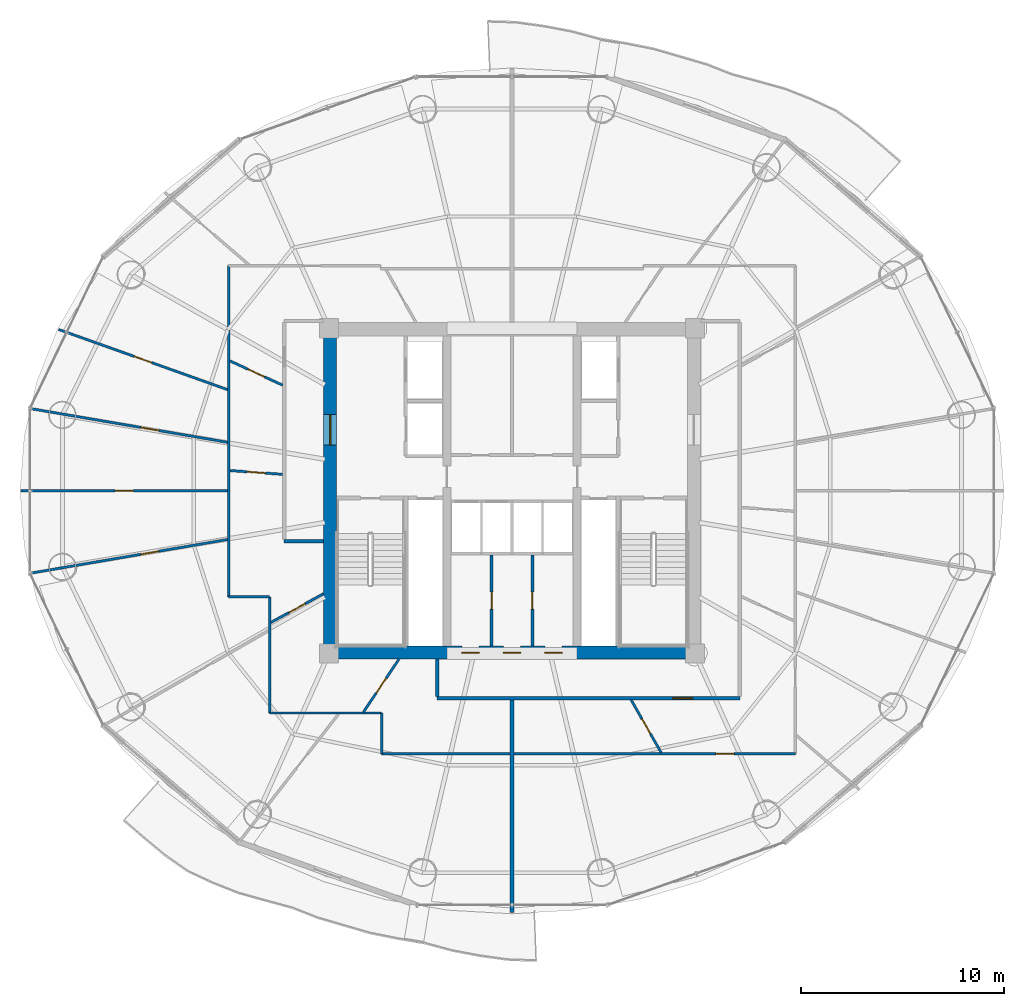
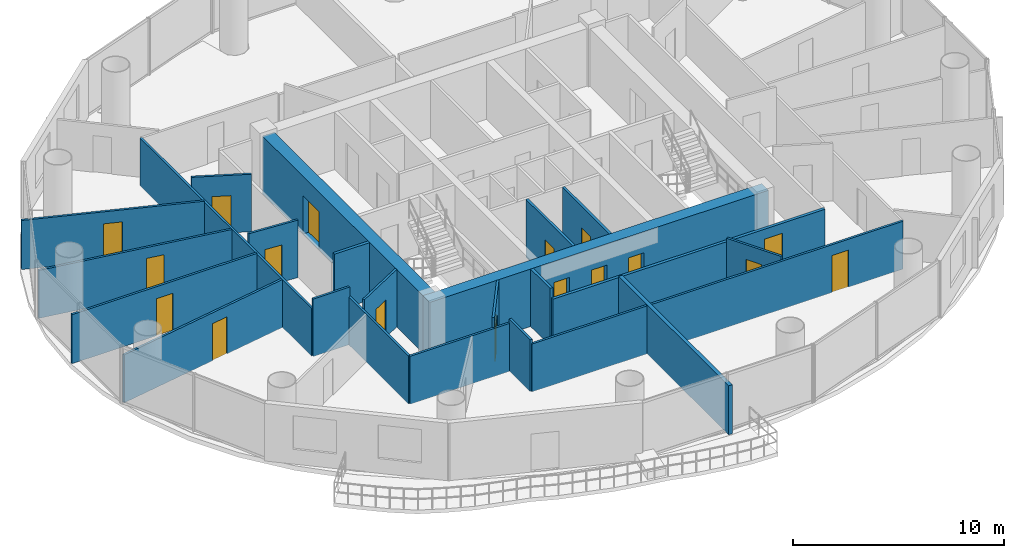
# One storey, part 20 of 26: 24 walls, 17 doors, 17 openings.
"""IFC4 building model written with IfcOpenShell, lengths in metres."""

from ifc_helpers import new_model, si_unit, direction, frame, frame_2d, origin, place, context, subcontext, project, spatial, rectangle, extrude, source, transform, mapped, material, layer, layer_set, type_object, element, fill, save


model = new_model("IFC4")

# Units and contexts
model_context = context("Model", 3, precision=1e-05, world=origin(), true_north=direction((-0.2419218956, 0.970295726276)))
body_context = subcontext(model_context, "Body", "Model", "MODEL_VIEW")
ifc_project = project(units=[si_unit("LENGTHUNIT", "METRE"), si_unit("AREAUNIT", "SQUARE_METRE"), si_unit("VOLUMEUNIT", "CUBIC_METRE"), si_unit("PLANEANGLEUNIT", "RADIAN"), si_unit("MASSUNIT", "GRAM", prefix="KILO")], contexts=[model_context])

# Site, building, storey
site_placement = place(None, origin())
site = spatial("IfcSite", under=ifc_project, at=site_placement, CompositionType="ELEMENT")
building_placement = place(site_placement, origin())
building = spatial("IfcBuilding", under=site, at=building_placement, Name="Cobrevalo Terracotta Tower", CompositionType="ELEMENT")
storey_placement = place(building_placement, frame((0.0, 0.0, 175.0)))
storey = spatial("IfcBuildingStorey", under=building, at=storey_placement, Name="L46", CompositionType="ELEMENT", Elevation=175.0)

# Wall, openings, doors
ifc_material_1 = material(Name="Concrete C55", Category="concrete")
ifc_layer_1 = layer(ifc_material_1, 0.64990234375)
ifc_layer_set_1 = layer_set([ifc_layer_1], Name="Concrete C55")
wall_type_1 = type_object("IfcWallType", Name="Core shear wall 650 mm Concrete C55", PredefinedType="SHEAR", material=ifc_layer_set_1)
wall_1_placement = place(storey_placement, frame((28.72509765625, 18.85009765625, 0.0), z_axis=(0.0, 0.0, 1.0), x_axis=(1.0, 0.0, 0.0)))
wall_1 = element("IfcWall", 1, at=wall_1_placement, inside=storey, type_object=wall_type_1, Name="L46 south core shear wall", PredefinedType="SHEAR", context=body_context, shape_type="SweptSolid", body=[
    extrude(rectangle(XDim=18.5498046875, YDim=0.64990234375, at=frame_2d((9.27490234375, 0.0))), origin(), (0.0, 0.0, 1.0), 3.330078125),
])
opening_1_placement = place(wall_1_placement, frame((6.81005859375, 0.0, 0.0)))
opening_1 = element("IfcOpeningElement", 2, at=opening_1_placement, cuts=wall_1, Name="Opening ID-22", PredefinedType="OPENING", context=body_context, shape_type="SweptSolid", body=[
    extrude(rectangle(XDim=0.85009765625, YDim=2.10009765625, at=frame_2d((0.425048828125, 1.050048828125))), frame((0.0, 0.3349609375, 0.0), z_axis=(0.0, -1.0, 0.0), x_axis=(1.0, 0.0, 0.0)), (0.0, 0.0, 1.0), 0.669921875),
])
opening_2_placement = place(wall_1_placement, frame((8.85009765625, 0.0, 0.0)))
opening_2 = element("IfcOpeningElement", 3, at=opening_2_placement, cuts=wall_1, Name="Opening ID-22", PredefinedType="OPENING", context=body_context, shape_type="SweptSolid", body=[
    extrude(rectangle(XDim=0.85009765625, YDim=2.10009765625, at=frame_2d((0.425048828125, 1.050048828125))), frame((0.0, 0.3349609375, 0.0), z_axis=(0.0, -1.0, 0.0), x_axis=(1.0, 0.0, 0.0)), (0.0, 0.0, 1.0), 0.669921875),
])
opening_3_placement = place(wall_1_placement, frame((10.889892578125, 0.0, 0.0)))
opening_3 = element("IfcOpeningElement", 4, at=opening_3_placement, cuts=wall_1, Name="Opening ID-22", PredefinedType="OPENING", context=body_context, shape_type="SweptSolid", body=[
    extrude(rectangle(XDim=0.85009765625, YDim=2.10009765625, at=frame_2d((0.425048828125, 1.050048828125))), frame((0.0, 0.3349609375, 0.0), z_axis=(0.0, -1.0, 0.0), x_axis=(1.0, 0.0, 0.0)), (0.0, 0.0, 1.0), 0.669921875),
])
ifc_material_2 = material(Name="Powder-coated steel", Category="steel")
door_type_1 = type_object("IfcDoorType", Name="Riser shaft & meter closet fire access door 850x2100 EI 60", OperationType="NOTDEFINED", PredefinedType="DOOR", material=ifc_material_2)
shared_shape_1 = source(origin(), body_context, "Body", "SweptSolid", [
    extrude(rectangle(XDim=0.85009765625, YDim=2.10009765625, at=frame_2d((0.425048828125, 1.050048828125))), frame((0.0, 0.02490234375, 0.0), z_axis=(0.0, -1.0, 0.0), x_axis=(1.0, 0.0, 0.0)), (0.0, 0.0, 1.0), 0.050048828125),
])
door_1_placement = place(opening_1_placement, origin())
door_1 = element("IfcDoor", 5, at=door_1_placement, inside=storey, type_object=door_type_1, Name="L46 core south plant door HVAC Supply Air Plant", OperationType="SINGLE_SWING_RIGHT", OverallHeight=2.10009765625, OverallWidth=0.85009765625, PredefinedType="DOOR", context=body_context, shape_type="MappedRepresentation", body=[
    mapped(shared_shape_1, transform((0.0, 0.0, 0.0), scale=1.0)),
])
fill(opening_1, door_1)
door_2_placement = place(opening_2_placement, origin())
door_2 = element("IfcDoor", 6, at=door_2_placement, inside=storey, type_object=door_type_1, Name="L46 core south plant door Refuse Chute Store Room", OperationType="SINGLE_SWING_RIGHT", OverallHeight=2.10009765625, OverallWidth=0.85009765625, PredefinedType="DOOR", context=body_context, shape_type="MappedRepresentation", body=[
    mapped(shared_shape_1, transform((0.0, 0.0, 0.0), scale=1.0)),
])
fill(opening_2, door_2)
door_3_placement = place(opening_3_placement, origin())
door_3 = element("IfcDoor", 7, at=door_3_placement, inside=storey, type_object=door_type_1, Name="L46 core south plant door Hydronic Pump Manifold Plant", OperationType="SINGLE_SWING_RIGHT", OverallHeight=2.10009765625, OverallWidth=0.85009765625, PredefinedType="DOOR", context=body_context, shape_type="MappedRepresentation", body=[
    mapped(shared_shape_1, transform((0.0, 0.0, 0.0), scale=1.0)),
])
fill(opening_3, door_3)

# Wall, opening, door
wall_2_placement = place(storey_placement, frame((29.050048828125, 19.175048828125, 0.0), z_axis=(0.0, 0.0, 1.0), x_axis=(0.0, 1.0, 0.0)))
wall_2 = element("IfcWall", 8, at=wall_2_placement, inside=storey, type_object=wall_type_1, Name="L46 west core shear wall", PredefinedType="SHEAR", context=body_context, shape_type="SweptSolid", body=[
    extrude(rectangle(XDim=15.25, YDim=0.64990234375, at=frame_2d((7.625, 0.0))), origin(), (0.0, 0.0, 1.0), 3.330078125),
])
opening_4_placement = place(wall_2_placement, frame((9.875, 0.0, 0.0)))
opening_4 = element("IfcOpeningElement", 9, at=opening_4_placement, cuts=wall_2, Name="Opening ID-14", PredefinedType="OPENING", context=body_context, shape_type="SweptSolid", body=[
    extrude(rectangle(XDim=1.5, YDim=2.199951171875, at=frame_2d((0.75, 1.10009765625))), frame((0.0, 0.3349609375, 0.0), z_axis=(0.0, -1.0, 0.0), x_axis=(1.0, 0.0, 0.0)), (0.0, 0.0, 1.0), 0.669921875),
])
ifc_material_3 = material(Name="Galvanized fire-rated steel", Category="steel")
door_type_2 = type_object("IfcDoorType", Name="Core cross-lobby double fire door 1500x2200 EI 90", OperationType="NOTDEFINED", PredefinedType="DOOR", material=ifc_material_3)
shared_shape_2 = source(origin(), body_context, "Body", "SweptSolid", [
    extrude(rectangle(XDim=1.5, YDim=2.199951171875, at=frame_2d((0.75, 1.10009765625))), frame((0.0, 0.02490234375, 0.0), z_axis=(0.0, -1.0, 0.0), x_axis=(1.0, 0.0, 0.0)), (0.0, 0.0, 1.0), 0.050048828125),
])
door_4_placement = place(opening_4_placement, origin())
door_4 = element("IfcDoor", 10, at=door_4_placement, inside=storey, type_object=door_type_2, Name="L46 west firefighting lobby entrance door", OperationType="DOUBLE_DOOR_SINGLE_SWING", OverallHeight=2.199951171875, OverallWidth=1.5, PredefinedType="DOOR", context=body_context, shape_type="MappedRepresentation", body=[
    mapped(shared_shape_2, transform((0.0, 0.0, 0.0), scale=1.0)),
])
fill(opening_4, door_4)

# Wall
ifc_material_4 = material(Name="Gypsum board on steel stud", Category="steel")
ifc_layer_2 = layer(ifc_material_4, 0.159912109375)
ifc_layer_set_2 = layer_set([ifc_layer_2], Name="Gypsum board on steel stud")
wall_type_2 = type_object("IfcWallType", Name="Fire-rated corridor acoustic partition wall 160 mm", PredefinedType="PARTITIONING", material=ifc_layer_set_2)
wall_3_placement = place(storey_placement, frame((26.794921875, 24.320068359375, 0.0), z_axis=(0.0, 0.0, 1.0), x_axis=(1.0, 0.0, 0.0)))
element("IfcWall", 11, at=wall_3_placement, inside=storey, type_object=wall_type_2, Name="L46 interior partition IW-L46-COR-WS-CAP", PredefinedType="PARTITIONING", context=body_context, shape_type="SweptSolid", body=[
    extrude(rectangle(XDim=1.93017578125, YDim=0.159912109375, at=frame_2d((0.965087890625, 0.0))), origin(), (0.0, 0.0, 1.0), 3.330078125),
])

# Wall, opening, door
wall_4_placement = place(storey_placement, frame((34.320068359375, 16.594970703125, 0.0), z_axis=(0.0, 0.0, 1.0), x_axis=(1.0, 0.0, 0.0)))
wall_4 = element("IfcWall", 12, at=wall_4_placement, inside=storey, type_object=wall_type_2, Name="L46 interior partition IW-L46-COR-S", PredefinedType="PARTITIONING", context=body_context, shape_type="SweptSolid", body=[
    extrude(rectangle(XDim=14.885009765625, YDim=0.159912109375, at=frame_2d((7.4423828125, 0.0))), origin(), (0.0, 0.0, 1.0), 2.77587890625),
])
opening_5_placement = place(wall_4_placement, frame((11.589599609375, 0.0, 0.0)))
opening_5 = element("IfcOpeningElement", 13, at=opening_5_placement, cuts=wall_4, Name="Opening ID-05", PredefinedType="OPENING", context=body_context, shape_type="SweptSolid", body=[
    extrude(rectangle(XDim=0.97998046875, YDim=2.199951171875, at=frame_2d((0.489990234375, 1.10009765625))), frame((0.0, 0.08984375, 0.0), z_axis=(0.0, -1.0, 0.0), x_axis=(1.0, 0.0, 0.0)), (0.0, 0.0, 1.0), 0.179931640625),
])
ifc_material_5 = material(Name="Solid hardwood timber", Category="wood")
door_type_3 = type_object("IfcDoorType", Name="Residence entrance fire-rated acoustic timber door 980x2200 EI 60", OperationType="NOTDEFINED", PredefinedType="DOOR", material=ifc_material_5)
shared_shape_3 = source(origin(), body_context, "Body", "SweptSolid", [
    extrude(rectangle(XDim=0.97998046875, YDim=2.199951171875, at=frame_2d((0.489990234375, 1.10009765625))), frame((0.0, 0.02490234375, 0.0), z_axis=(0.0, -1.0, 0.0), x_axis=(1.0, 0.0, 0.0)), (0.0, 0.0, 1.0), 0.050048828125),
])
door_5_placement = place(opening_5_placement, origin())
door_5 = element("IfcDoor", 14, at=door_5_placement, inside=storey, type_object=door_type_3, Name="Flat L46B fire-rated apartment entrance door", OperationType="SINGLE_SWING_LEFT", OverallHeight=2.199951171875, OverallWidth=0.97998046875, PredefinedType="DOOR", context=body_context, shape_type="MappedRepresentation", body=[
    mapped(shared_shape_3, transform((0.0, 0.0, 0.0), scale=1.0)),
])
fill(opening_5, door_5)

# Walls
wall_5_placement = place(storey_placement, frame((34.320068359375, 16.675048828125, 0.0), z_axis=(0.0, 0.0, 1.0), x_axis=(0.0, 1.0, 0.0)))
element("IfcWall", 15, at=wall_5_placement, inside=storey, type_object=wall_type_2, Name="L46 interior partition IW-L46-COR-SW-CAP", PredefinedType="PARTITIONING", context=body_context, shape_type="SweptSolid", body=[
    extrude(rectangle(XDim=1.849853515625, YDim=0.159912109375, at=frame_2d((0.9248046875, 0.0))), origin(), (0.0, 0.0, 1.0), 3.330078125),
])
ifc_material_6 = material(Name="Autoclaved aerated concrete block", Category="concrete")
ifc_layer_3 = layer(ifc_material_6, 0.199951171875)
ifc_layer_set_3 = layer_set([ifc_layer_3], Name="Autoclaved aerated concrete block")
wall_type_3 = type_object("IfcWallType", Name="Fire-rated stair, shaft & demising masonry wall 200 mm", PredefinedType="PARTITIONING", material=ifc_layer_set_3)
wall_6_placement = place(storey_placement, frame((38.0, 16.514892578125, 0.0), z_axis=(0.0, 0.0, 1.0), x_axis=(0.0, -1.0, 0.0)))
element("IfcWall", 16, at=wall_6_placement, inside=storey, type_object=wall_type_3, Name="L46 interior partition IW-L46-DEM-2", PredefinedType="PARTITIONING", context=body_context, shape_type="SweptSolid", body=[
    extrude(rectangle(XDim=10.454833984375, YDim=0.199951171875, at=frame_2d((5.2275390625, 0.0))), origin(), (0.0, 0.0, 1.0), 2.845947265625),
])

# Wall, opening, door
ifc_layer_4 = layer(ifc_material_6, 0.139892578125)
ifc_layer_set_4 = layer_set([ifc_layer_4], Name="Autoclaved aerated concrete block")
wall_type_4 = type_object("IfcWallType", Name="Moisture-resistant wet-room & core service partition 140 mm", PredefinedType="PARTITIONING", material=ifc_layer_set_4)
wall_7_placement = place(storey_placement, frame((37.0, 19.175048828125, 0.0), z_axis=(0.0, 0.0, 1.0), x_axis=(0.0, 1.0, 0.0)))
wall_7 = element("IfcWall", 17, at=wall_7_placement, inside=storey, type_object=wall_type_4, Name="L46 interior partition IW-L46-KVS-V1", PredefinedType="PARTITIONING", context=body_context, shape_type="SweptSolid", body=[
    extrude(rectangle(XDim=4.46484375, YDim=0.139892578125, at=frame_2d((2.232421875, 0.0))), origin(), (0.0, 0.0, 1.0), 3.330078125),
])
opening_6_placement = place(wall_7_placement, frame((1.8076171875, 0.0, 0.0)))
opening_6 = element("IfcOpeningElement", 18, at=opening_6_placement, cuts=wall_7, Name="Opening ID-22", PredefinedType="OPENING", context=body_context, shape_type="SweptSolid", body=[
    extrude(rectangle(XDim=0.85009765625, YDim=2.10009765625, at=frame_2d((0.425048828125, 1.050048828125))), frame((0.0, 0.080078125, 0.0), z_axis=(0.0, -1.0, 0.0), x_axis=(1.0, 0.0, 0.0)), (0.0, 0.0, 1.0), 0.159912109375),
])
door_6_placement = place(opening_6_placement, origin())
door_6 = element("IfcDoor", 19, at=door_6_placement, inside=storey, type_object=door_type_1, Name="L46 core KVS-V1 inner door", OperationType="SINGLE_SWING_LEFT", OverallHeight=2.10009765625, OverallWidth=0.85009765625, PredefinedType="DOOR", context=body_context, shape_type="MappedRepresentation", body=[
    mapped(shared_shape_1, transform((0.0, 0.0, 0.0), scale=1.0)),
])
fill(opening_6, door_6)

wall_8_placement = place(storey_placement, frame((39.0, 19.175048828125, 0.0), z_axis=(0.0, 0.0, 1.0), x_axis=(0.0, 1.0, 0.0)))
wall_8 = element("IfcWall", 20, at=wall_8_placement, inside=storey, type_object=wall_type_4, Name="L46 interior partition IW-L46-KVS-V2", PredefinedType="PARTITIONING", context=body_context, shape_type="SweptSolid", body=[
    extrude(rectangle(XDim=4.46484375, YDim=0.139892578125, at=frame_2d((2.232421875, 0.0))), origin(), (0.0, 0.0, 1.0), 3.330078125),
])
opening_7_placement = place(wall_8_placement, frame((1.8076171875, 0.0, 0.0)))
opening_7 = element("IfcOpeningElement", 21, at=opening_7_placement, cuts=wall_8, Name="Opening ID-22", PredefinedType="OPENING", context=body_context, shape_type="SweptSolid", body=[
    extrude(rectangle(XDim=0.85009765625, YDim=2.10009765625, at=frame_2d((0.425048828125, 1.050048828125))), frame((0.0, 0.080078125, 0.0), z_axis=(0.0, -1.0, 0.0), x_axis=(1.0, 0.0, 0.0)), (0.0, 0.0, 1.0), 0.159912109375),
])
door_7_placement = place(opening_7_placement, origin())
door_7 = element("IfcDoor", 22, at=door_7_placement, inside=storey, type_object=door_type_1, Name="L46 core KVS-V2 inner door", OperationType="SINGLE_SWING_LEFT", OverallHeight=2.10009765625, OverallWidth=0.85009765625, PredefinedType="DOOR", context=body_context, shape_type="MappedRepresentation", body=[
    mapped(shared_shape_1, transform((0.0, 0.0, 0.0), scale=1.0)),
])
fill(opening_7, door_7)

# Walls
ifc_layer_5 = layer(ifc_material_4, 0.1201171875)
ifc_layer_set_5 = layer_set([ifc_layer_5], Name="Gypsum board on steel stud")
wall_type_5 = type_object("IfcWallType", Name="Residential internal acoustic stud partition 120 mm", PredefinedType="PARTITIONING", material=ifc_layer_set_5)
wall_9_placement = place(storey_placement, frame((37.89794921875, 13.864990234375, 0.0), z_axis=(0.0, 0.0, 1.0), x_axis=(-1.0, 0.0, 0.0)))
element("IfcWall", 23, at=wall_9_placement, inside=storey, type_object=wall_type_5, Name="L46 interior partition IW-L46-U1-RING0_0", PredefinedType="PARTITIONING", context=body_context, shape_type="SweptSolid", body=[
    extrude(rectangle(XDim=6.307861328125, YDim=0.1201171875, at=frame_2d((3.15380859375, 0.0))), origin(), (0.0, 0.0, 1.0), 2.77587890625),
])
wall_10_placement = place(storey_placement, frame((31.590087890625, 13.864990234375, 0.0), z_axis=(0.0, 0.0, 1.0), x_axis=(0.0, 1.0, 0.0)))
element("IfcWall", 24, at=wall_10_placement, inside=storey, type_object=wall_type_5, Name="L46 interior partition IW-L46-U1-RING1_0", PredefinedType="PARTITIONING", context=body_context, shape_type="SweptSolid", body=[
    extrude(rectangle(XDim=2.010009765625, YDim=0.1201171875, at=frame_2d((1.0048828125, 0.0))), origin(), (0.0, 0.0, 1.0), 3.0048828125),
])
wall_11_placement = place(storey_placement, frame((31.590087890625, 15.875, 0.0), z_axis=(0.0, 0.0, 1.0), x_axis=(-1.0, 0.0, 0.0)))
element("IfcWall", 25, at=wall_11_placement, inside=storey, type_object=wall_type_5, Name="L46 interior partition IW-L46-U1-RING2_0", PredefinedType="PARTITIONING", context=body_context, shape_type="SweptSolid", body=[
    extrude(rectangle(XDim=5.51513671875, YDim=0.1201171875, at=frame_2d((2.757568359375, 0.0))), origin(), (0.0, 0.0, 1.0), 2.77587890625),
])
wall_12_placement = place(storey_placement, frame((26.074951171875, 15.875, 0.0), z_axis=(0.0, 0.0, 1.0), x_axis=(0.0, 1.0, 0.0)))
element("IfcWall", 26, at=wall_12_placement, inside=storey, type_object=wall_type_5, Name="L46 interior partition IW-L46-U1-RING3_0", PredefinedType="PARTITIONING", context=body_context, shape_type="SweptSolid", body=[
    extrude(rectangle(XDim=5.715087890625, YDim=0.1201171875, at=frame_2d((2.857421875, 0.0))), origin(), (0.0, 0.0, 1.0), 2.77587890625),
])
wall_13_placement = place(storey_placement, frame((26.074951171875, 21.590087890625, 0.0), z_axis=(0.0, 0.0, 1.0), x_axis=(-1.0, 0.0, 0.0)))
element("IfcWall", 27, at=wall_13_placement, inside=storey, type_object=wall_type_5, Name="L46 interior partition IW-L46-U1-RING4_0", PredefinedType="PARTITIONING", context=body_context, shape_type="SweptSolid", body=[
    extrude(rectangle(XDim=2.010009765625, YDim=0.1201171875, at=frame_2d((1.0048828125, 0.0))), origin(), (0.0, 0.0, 1.0), 3.330078125),
])
wall_14_placement = place(storey_placement, frame((24.06494140625, 21.590087890625, 0.0), z_axis=(0.0, 0.0, 1.0), x_axis=(0.0, 1.0, 0.0)))
element("IfcWall", 28, at=wall_14_placement, inside=storey, type_object=wall_type_5, Name="L46 interior partition IW-L46-U1-RING5_0", PredefinedType="PARTITIONING", context=body_context, shape_type="SweptSolid", body=[
    extrude(rectangle(XDim=16.294921875, YDim=0.1201171875, at=frame_2d((8.1474609375, 0.0))), origin(), (0.0, 0.0, 1.0), 2.77587890625),
])

# Wall, opening, door
wall_15_placement = place(storey_placement, frame((24.006591796875, 31.781982421875, 0.0), z_axis=(0.0, 0.0, 1.0), x_axis=(-0.942077868165, 0.335394231187, 0.0)))
wall_15 = element("IfcWall", 29, at=wall_15_placement, inside=storey, type_object=wall_type_5, Name="L46 interior partition IW-L46-U1-ORAD2", PredefinedType="PARTITIONING", context=body_context, shape_type="SweptSolid", body=[
    extrude(rectangle(XDim=8.816650390625, YDim=0.1201171875, at=frame_2d((4.408203125, 0.0))), origin(), (0.0, 0.0, 1.0), 2.845947265625),
])
opening_8_placement = place(wall_15_placement, frame((3.95849609375, 0.0, 0.0)))
opening_8 = element("IfcOpeningElement", 30, at=opening_8_placement, cuts=wall_15, Name="Opening ID-12", PredefinedType="OPENING", context=body_context, shape_type="SweptSolid", body=[
    extrude(rectangle(XDim=0.89990234375, YDim=2.14990234375, at=frame_2d((0.449951171875, 1.074951171875))), frame((0.0, 0.070068359375, 0.0), z_axis=(0.0, -1.0, 0.0), x_axis=(1.0, 0.0, 0.0)), (0.0, 0.0, 1.0), 0.14013671875),
])
ifc_material_7 = material(Name="Engineered timber", Category="wood")
door_type_4 = type_object("IfcDoorType", Name="Internal residence & suite timber door 900x2150", OperationType="NOTDEFINED", PredefinedType="DOOR", material=ifc_material_7)
shared_shape_4 = source(origin(), body_context, "Body", "SweptSolid", [
    extrude(rectangle(XDim=0.89990234375, YDim=2.14990234375, at=frame_2d((0.449951171875, 1.074951171875))), frame((0.0, 0.02490234375, 0.0), z_axis=(0.0, -1.0, 0.0), x_axis=(1.0, 0.0, 0.0)), (0.0, 0.0, 1.0), 0.050048828125),
])
door_8_placement = place(opening_8_placement, origin())
door_8 = element("IfcDoor", 31, at=door_8_placement, inside=storey, type_object=door_type_4, Name="Flat L46A Principal Guest Bedroom internal door", OperationType="SINGLE_SWING_LEFT", OverallHeight=2.14990234375, OverallWidth=0.89990234375, PredefinedType="DOOR", context=body_context, shape_type="MappedRepresentation", body=[
    mapped(shared_shape_4, transform((0.0, 0.0, 0.0), scale=1.0)),
])
fill(opening_8, door_8)

wall_16_placement = place(storey_placement, frame((24.00390625, 29.19287109375, 0.0), z_axis=(0.0, 0.0, 1.0), x_axis=(-0.985698378271, 0.168519159369, 0.0)))
wall_16 = element("IfcWall", 32, at=wall_16_placement, inside=storey, type_object=wall_type_5, Name="L46 interior partition IW-L46-U1-ORAD3M1", PredefinedType="PARTITIONING", context=body_context, shape_type="SweptSolid", body=[
    extrude(rectangle(XDim=9.768798828125, YDim=0.1201171875, at=frame_2d((4.88427734375, 0.0))), origin(), (0.0, 0.0, 1.0), 2.77587890625),
])
opening_9_placement = place(wall_16_placement, frame((3.427734375, 0.0, 0.0)))
opening_9 = element("IfcOpeningElement", 33, at=opening_9_placement, cuts=wall_16, Name="Opening ID-12", PredefinedType="OPENING", context=body_context, shape_type="SweptSolid", body=[
    extrude(rectangle(XDim=0.89990234375, YDim=2.14990234375, at=frame_2d((0.449951171875, 1.074951171875))), frame((0.0, 0.070068359375, 0.0), z_axis=(0.0, -1.0, 0.0), x_axis=(1.0, 0.0, 0.0)), (0.0, 0.0, 1.0), 0.14013671875),
])
door_9_placement = place(opening_9_placement, origin())
door_9 = element("IfcDoor", 34, at=door_9_placement, inside=storey, type_object=door_type_4, Name="Flat L46A North Bedroom internal door", OperationType="SINGLE_SWING_RIGHT", OverallHeight=2.14990234375, OverallWidth=0.89990234375, PredefinedType="DOOR", context=body_context, shape_type="MappedRepresentation", body=[
    mapped(shared_shape_4, transform((0.0, 0.0, 0.0), scale=1.0)),
])
fill(opening_9, door_9)

wall_17_placement = place(storey_placement, frame((24.0029296875, 26.800048828125, 0.0), z_axis=(0.0, 0.0, 1.0), x_axis=(-1.0, 0.0, 0.0)))
wall_17 = element("IfcWall", 35, at=wall_17_placement, inside=storey, type_object=wall_type_5, Name="L46 interior partition IW-L46-U1-ORAD3", PredefinedType="PARTITIONING", context=body_context, shape_type="SweptSolid", body=[
    extrude(rectangle(XDim=10.142822265625, YDim=0.1201171875, at=frame_2d((5.0712890625, 0.0))), origin(), (0.0, 0.0, 1.0), 2.845947265625),
])
opening_10_placement = place(wall_17_placement, frame((4.62158203125, 0.0, 0.0)))
opening_10 = element("IfcOpeningElement", 36, at=opening_10_placement, cuts=wall_17, Name="Opening ID-12", PredefinedType="OPENING", context=body_context, shape_type="SweptSolid", body=[
    extrude(rectangle(XDim=0.89990234375, YDim=2.14990234375, at=frame_2d((0.449951171875, 1.074951171875))), frame((0.0, 0.070068359375, 0.0), z_axis=(0.0, -1.0, 0.0), x_axis=(1.0, 0.0, 0.0)), (0.0, 0.0, 1.0), 0.14013671875),
])
door_10_placement = place(opening_10_placement, origin())
door_10 = element("IfcDoor", 37, at=door_10_placement, inside=storey, type_object=door_type_4, Name="Flat L46A South Bedroom internal door", OperationType="SINGLE_SWING_LEFT", OverallHeight=2.14990234375, OverallWidth=0.89990234375, PredefinedType="DOOR", context=body_context, shape_type="MappedRepresentation", body=[
    mapped(shared_shape_4, transform((0.0, 0.0, 0.0), scale=1.0)),
])
fill(opening_10, door_10)

wall_18_placement = place(storey_placement, frame((24.00390625, 24.4072265625, 0.0), z_axis=(0.0, 0.0, 1.0), x_axis=(-0.985698378271, -0.168519159369, 0.0)))
wall_18 = element("IfcWall", 38, at=wall_18_placement, inside=storey, type_object=wall_type_5, Name="L46 interior partition IW-L46-U1-ORAD4M1", PredefinedType="PARTITIONING", context=body_context, shape_type="SweptSolid", body=[
    extrude(rectangle(XDim=9.768798828125, YDim=0.1201171875, at=frame_2d((4.88427734375, 0.0))), origin(), (0.0, 0.0, 1.0), 2.77587890625),
])
opening_11_placement = place(wall_18_placement, frame((3.42822265625, 0.0, 0.0)))
opening_11 = element("IfcOpeningElement", 39, at=opening_11_placement, cuts=wall_18, Name="Opening ID-12", PredefinedType="OPENING", context=body_context, shape_type="SweptSolid", body=[
    extrude(rectangle(XDim=0.89990234375, YDim=2.14990234375, at=frame_2d((0.449951171875, 1.074951171875))), frame((0.0, 0.070068359375, 0.0), z_axis=(0.0, -1.0, 0.0), x_axis=(1.0, 0.0, 0.0)), (0.0, 0.0, 1.0), 0.14013671875),
])
door_11_placement = place(opening_11_placement, origin())
door_11 = element("IfcDoor", 40, at=door_11_placement, inside=storey, type_object=door_type_4, Name="Flat L46A Penthouse Family Lounge internal door", OperationType="SINGLE_SWING_RIGHT", OverallHeight=2.14990234375, OverallWidth=0.89990234375, PredefinedType="DOOR", context=body_context, shape_type="MappedRepresentation", body=[
    mapped(shared_shape_4, transform((0.0, 0.0, 0.0), scale=1.0)),
])
fill(opening_11, door_11)

wall_19_placement = place(storey_placement, frame((26.715087890625, 32.000732421875, 0.0), z_axis=(0.0, 0.0, 1.0), x_axis=(-0.90819942915, 0.418537688735, 0.0)))
wall_19 = element("IfcWall", 41, at=wall_19_placement, inside=storey, type_object=wall_type_5, Name="L46 interior partition IW-L46-U1-IRAD2", PredefinedType="PARTITIONING", context=body_context, shape_type="SweptSolid", body=[
    extrude(rectangle(XDim=2.85595703125, YDim=0.1201171875, at=frame_2d((1.427978515625, 0.0))), origin(), (0.0, 0.0, 1.0), 3.330078125),
])
opening_12_placement = place(wall_19_placement, frame((0.977783203125, 0.0, 0.0)))
opening_12 = element("IfcOpeningElement", 42, at=opening_12_placement, cuts=wall_19, Name="Opening ID-12", PredefinedType="OPENING", context=body_context, shape_type="SweptSolid", body=[
    extrude(rectangle(XDim=0.89990234375, YDim=2.14990234375, at=frame_2d((0.449951171875, 1.074951171875))), frame((0.0, 0.070068359375, 0.0), z_axis=(0.0, -1.0, 0.0), x_axis=(1.0, 0.0, 0.0)), (0.0, 0.0, 1.0), 0.14013671875),
])
door_12_placement = place(opening_12_placement, origin())
door_12 = element("IfcDoor", 43, at=door_12_placement, inside=storey, type_object=door_type_4, Name="Flat L46A Kitchen internal door", OperationType="SINGLE_SWING_RIGHT", OverallHeight=2.14990234375, OverallWidth=0.89990234375, PredefinedType="DOOR", context=body_context, shape_type="MappedRepresentation", body=[
    mapped(shared_shape_4, transform((0.0, 0.0, 0.0), scale=1.0)),
])
fill(opening_12, door_12)

wall_20_placement = place(storey_placement, frame((26.715087890625, 27.614501953125, 0.0), z_axis=(0.0, 0.0, 1.0), x_axis=(-0.997406375801, 0.071975839778, 0.0)))
wall_20 = element("IfcWall", 44, at=wall_20_placement, inside=storey, type_object=wall_type_5, Name="L46 interior partition IW-L46-U1-IRAD3", PredefinedType="PARTITIONING", context=body_context, shape_type="SweptSolid", body=[
    extrude(rectangle(XDim=2.594970703125, YDim=0.1201171875, at=frame_2d((1.29736328125, 0.0))), origin(), (0.0, 0.0, 1.0), 3.330078125),
])
opening_13_placement = place(wall_20_placement, frame((0.847412109375, 0.0, 0.0)))
opening_13 = element("IfcOpeningElement", 45, at=opening_13_placement, cuts=wall_20, Name="Opening ID-12", PredefinedType="OPENING", context=body_context, shape_type="SweptSolid", body=[
    extrude(rectangle(XDim=0.89990234375, YDim=2.14990234375, at=frame_2d((0.449951171875, 1.074951171875))), frame((0.0, 0.070068359375, 0.0), z_axis=(0.0, -1.0, 0.0), x_axis=(1.0, 0.0, 0.0)), (0.0, 0.0, 1.0), 0.14013671875),
])
door_13_placement = place(opening_13_placement, origin())
door_13 = element("IfcDoor", 46, at=door_13_placement, inside=storey, type_object=door_type_4, Name="Flat L46A Private Library Meeting Room internal door", OperationType="SINGLE_SWING_LEFT", OverallHeight=2.14990234375, OverallWidth=0.89990234375, PredefinedType="DOOR", context=body_context, shape_type="MappedRepresentation", body=[
    mapped(shared_shape_4, transform((0.0, 0.0, 0.0), scale=1.0)),
])
fill(opening_13, door_13)

wall_21_placement = place(storey_placement, frame((28.72314453125, 21.739990234375, 0.0), z_axis=(0.0, 0.0, 1.0), x_axis=(-0.877892414948, -0.47885792024, 0.0)))
wall_21 = element("IfcWall", 47, at=wall_21_placement, inside=storey, type_object=wall_type_5, Name="L46 interior partition IW-L46-U1-IRAD4", PredefinedType="PARTITIONING", context=body_context, shape_type="SweptSolid", body=[
    extrude(rectangle(XDim=2.95458984375, YDim=0.1201171875, at=frame_2d((1.477294921875, 0.0))), origin(), (0.0, 0.0, 1.0), 3.330078125),
])
opening_14_placement = place(wall_21_placement, frame((1.02734375, 0.0, 0.0)))
opening_14 = element("IfcOpeningElement", 48, at=opening_14_placement, cuts=wall_21, Name="Opening ID-12", PredefinedType="OPENING", context=body_context, shape_type="SweptSolid", body=[
    extrude(rectangle(XDim=0.89990234375, YDim=2.14990234375, at=frame_2d((0.449951171875, 1.074951171875))), frame((0.0, 0.070068359375, 0.0), z_axis=(0.0, -1.0, 0.0), x_axis=(1.0, 0.0, 0.0)), (0.0, 0.0, 1.0), 0.14013671875),
])
door_14_placement = place(opening_14_placement, origin())
door_14 = element("IfcDoor", 49, at=door_14_placement, inside=storey, type_object=door_type_4, Name="Flat L46A Utility Closet internal door", OperationType="SINGLE_SWING_RIGHT", OverallHeight=2.14990234375, OverallWidth=0.89990234375, PredefinedType="DOOR", context=body_context, shape_type="MappedRepresentation", body=[
    mapped(shared_shape_4, transform((0.0, 0.0, 0.0), scale=1.0)),
])
fill(opening_14, door_14)

wall_22_placement = place(storey_placement, frame((32.44140625, 18.52490234375, 0.0), z_axis=(0.0, 0.0, 1.0), x_axis=(-0.557594690071, -0.830113342625, 0.0)))
wall_22 = element("IfcWall", 50, at=wall_22_placement, inside=storey, type_object=wall_type_5, Name="L46 interior partition IW-L46-U1-IRAD5", PredefinedType="PARTITIONING", context=body_context, shape_type="SweptSolid", body=[
    extrude(rectangle(XDim=3.130126953125, YDim=0.1201171875, at=frame_2d((1.56494140625, 0.0))), origin(), (0.0, 0.0, 1.0), 3.330078125),
])
opening_15_placement = place(wall_22_placement, frame((1.13525390625, 0.0, 0.0)))
opening_15 = element("IfcOpeningElement", 51, at=opening_15_placement, cuts=wall_22, Name="Opening ID-19", PredefinedType="OPENING", context=body_context, shape_type="SweptSolid", body=[
    extrude(rectangle(XDim=0.860107421875, YDim=2.14990234375, at=frame_2d((0.43017578125, 1.074951171875))), frame((0.0, 0.070068359375, 0.0), z_axis=(0.0, -1.0, 0.0), x_axis=(1.0, 0.0, 0.0)), (0.0, 0.0, 1.0), 0.14013671875),
])
ifc_material_8 = material(Name="Moisture-sealed timber", Category="wood")
door_type_5 = type_object("IfcDoorType", Name="Suite bathroom internal timber door 860x2150", OperationType="NOTDEFINED", PredefinedType="DOOR", material=ifc_material_8)
shared_shape_5 = source(origin(), body_context, "Body", "SweptSolid", [
    extrude(rectangle(XDim=0.860107421875, YDim=2.14990234375, at=frame_2d((0.43017578125, 1.074951171875))), frame((0.0, 0.02490234375, 0.0), z_axis=(0.0, -1.0, 0.0), x_axis=(1.0, 0.0, 0.0)), (0.0, 0.0, 1.0), 0.050048828125),
])
door_15_placement = place(opening_15_placement, origin())
door_15 = element("IfcDoor", 52, at=door_15_placement, inside=storey, type_object=door_type_5, Name="Flat L46A Guest Bathroom internal door", OperationType="SINGLE_SWING_LEFT", OverallHeight=2.14990234375, OverallWidth=0.860107421875, PredefinedType="DOOR", context=body_context, shape_type="MappedRepresentation", body=[
    mapped(shared_shape_5, transform((0.0, 0.0, 0.0), scale=1.0)),
])
fill(opening_15, door_15)

wall_23_placement = place(storey_placement, frame((51.93505859375, 13.864990234375, 0.0), z_axis=(0.0, 0.0, 1.0), x_axis=(-1.0, 0.0, 0.0)))
wall_23 = element("IfcWall", 53, at=wall_23_placement, inside=storey, type_object=wall_type_5, Name="L46 interior partition IW-L46-U2-RING4_0", PredefinedType="PARTITIONING", context=body_context, shape_type="SweptSolid", body=[
    extrude(rectangle(XDim=13.8330078125, YDim=0.1201171875, at=frame_2d((6.91650390625, 0.0))), origin(), (0.0, 0.0, 1.0), 2.77587890625),
])
opening_16_placement = place(wall_23_placement, frame((3.00927734375, 0.0, 0.0)))
opening_16 = element("IfcOpeningElement", 54, at=opening_16_placement, cuts=wall_23, Name="Opening ID-12", PredefinedType="OPENING", context=body_context, shape_type="SweptSolid", body=[
    extrude(rectangle(XDim=0.89990234375, YDim=2.14990234375, at=frame_2d((0.449951171875, 1.074951171875))), frame((0.0, 0.070068359375, 0.0), z_axis=(0.0, -1.0, 0.0), x_axis=(1.0, 0.0, 0.0)), (0.0, 0.0, 1.0), 0.14013671875),
])
door_16_placement = place(opening_16_placement, origin())
door_16 = element("IfcDoor", 55, at=door_16_placement, inside=storey, type_object=door_type_4, Name="Flat L46B Penthouse Living and Dining Room internal door", OperationType="SINGLE_SWING_LEFT", OverallHeight=2.14990234375, OverallWidth=0.89990234375, PredefinedType="DOOR", context=body_context, shape_type="MappedRepresentation", body=[
    mapped(shared_shape_4, transform((0.0, 0.0, 0.0), scale=1.0)),
])
fill(opening_16, door_16)

wall_24_placement = place(storey_placement, frame((43.862060546875, 16.514892578125, 0.0), z_axis=(0.0, 0.0, 1.0), x_axis=(0.495214761056, -0.868770591372, 0.0)))
wall_24 = element("IfcWall", 56, at=wall_24_placement, inside=storey, type_object=wall_type_5, Name="L46 interior partition IW-L46-U2-IRAD1", PredefinedType="PARTITIONING", context=body_context, shape_type="SweptSolid", body=[
    extrude(rectangle(XDim=2.988037109375, YDim=0.1201171875, at=frame_2d((1.494140625, 0.0))), origin(), (0.0, 0.0, 1.0), 3.0048828125),
])
opening_17_placement = place(wall_24_placement, frame((1.064208984375, 0.0, 0.0)))
opening_17 = element("IfcOpeningElement", 57, at=opening_17_placement, cuts=wall_24, Name="Opening ID-19", PredefinedType="OPENING", context=body_context, shape_type="SweptSolid", body=[
    extrude(rectangle(XDim=0.860107421875, YDim=2.14990234375, at=frame_2d((0.43017578125, 1.074951171875))), frame((0.0, 0.070068359375, 0.0), z_axis=(0.0, -1.0, 0.0), x_axis=(1.0, 0.0, 0.0)), (0.0, 0.0, 1.0), 0.14013671875),
])
door_17_placement = place(opening_17_placement, frame((0.860107421875, 0.0, 0.0), z_axis=(0.0, 0.0, 1.0), x_axis=(-1.0, 0.0, 0.0)))
door_17 = element("IfcDoor", 58, at=door_17_placement, inside=storey, type_object=door_type_5, Name="Flat L46B Primary Bathroom internal door", OperationType="SINGLE_SWING_RIGHT", OverallHeight=2.14990234375, OverallWidth=0.860107421875, PredefinedType="DOOR", context=body_context, shape_type="MappedRepresentation", body=[
    mapped(shared_shape_5, transform((0.0, 0.0, 0.0), scale=1.0)),
])
fill(opening_17, door_17)

save(model, "model.ifc")
